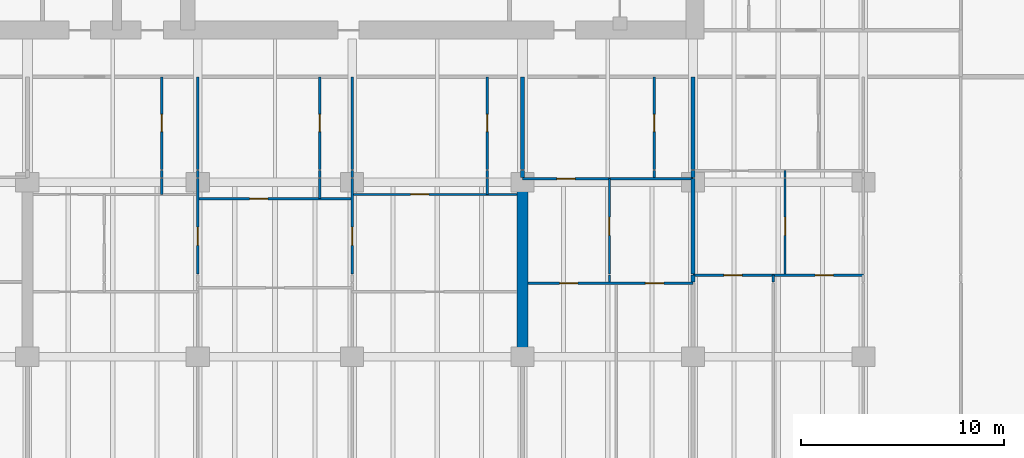
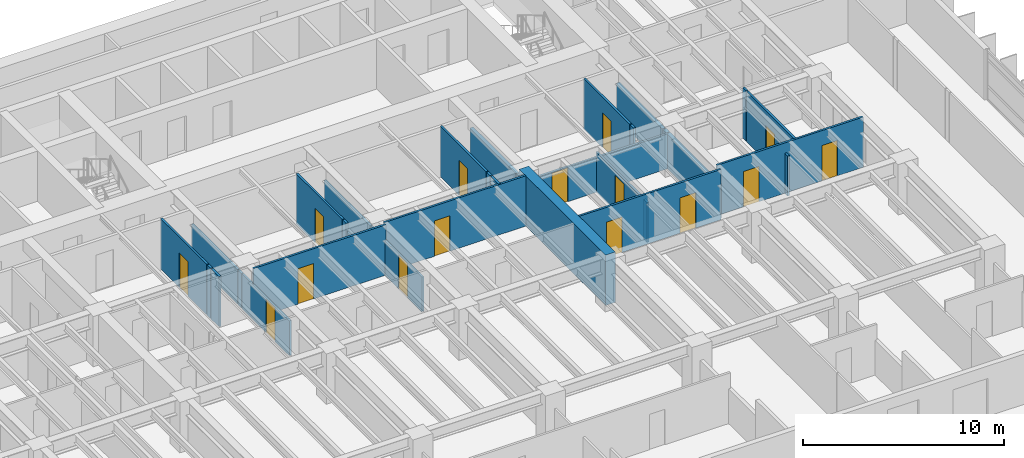
# One storey, part 9 of 17: 34 walls, 15 doors, 15 openings.
"""IFC4 building model written with IfcOpenShell, lengths in metres."""

from ifc_helpers import new_model, si_unit, direction, frame, frame_2d, origin, place, context, subcontext, project, spatial, rectangle, extrude, material, layer, layer_set, type_object, element, fill, save


model = new_model("IFC4")

# Units and contexts
model_context = context("Model", 3, precision=1e-05, world=origin(), true_north=direction((0.0, 1.0)))
body_context = subcontext(model_context, "Body", "Model", "MODEL_VIEW")
ifc_project = project(units=[si_unit("LENGTHUNIT", "METRE"), si_unit("AREAUNIT", "SQUARE_METRE"), si_unit("VOLUMEUNIT", "CUBIC_METRE"), si_unit("PLANEANGLEUNIT", "RADIAN"), si_unit("MASSUNIT", "GRAM", prefix="KILO")], contexts=[model_context])

# Site, building, storey
site_placement = place(None, origin())
site = spatial("IfcSite", under=ifc_project, at=site_placement, CompositionType="ELEMENT")
building_placement = place(site_placement, origin())
building = spatial("IfcBuilding", under=site, at=building_placement, Name="Caelmar Bay Residences", CompositionType="ELEMENT")
storey_placement = place(building_placement, frame((0.0, 0.0, 53.10009765625)))
storey = spatial("IfcBuildingStorey", under=building, at=storey_placement, Name="L13", CompositionType="ELEMENT", Elevation=53.10009765625)

# Walls
ifc_material_1 = material(Name="Concrete f'c 70 MPa (10,000 psi)", Category="concrete")
ifc_layer_1 = layer(ifc_material_1, 0.550048828125)
ifc_layer_set_1 = layer_set([ifc_layer_1], Name="Concrete f'c 70 MPa (10,000 psi)")
wall_type_1 = type_object("IfcWallType", Name="SW-XSLB-550", PredefinedType="SHEAR", material=ifc_layer_set_1)
wall_1_placement = place(storey_placement, frame((51.10009765625, 20.800048828125, 0.0), z_axis=(0.0, 0.0, 1.0), x_axis=(0.0, 1.0, 0.0)))
element("IfcWall", 1, at=wall_1_placement, inside=storey, type_object=wall_type_1, Name="L13 Transverse Cross-Slab Shear Wall E8", PredefinedType="SHEAR", context=body_context, shape_type="SweptSolid", body=[
    extrude(rectangle(XDim=8.599853515625, YDim=0.550048828125, at=frame_2d((4.2998046875, 0.0))), origin(), (0.0, 0.0, 1.0), 3.0498046875),
])
ifc_material_2 = material(Name="Acoustic metal-stud gypsum partition 120 mm")
ifc_layer_2 = layer(ifc_material_2, 0.1201171875)
ifc_layer_set_2 = layer_set([ifc_layer_2], Name="Acoustic metal-stud gypsum partition 120 mm")
wall_type_2 = type_object("IfcWallType", Name="W-PRT-120", PredefinedType="PARTITIONING", material=ifc_layer_set_2)
wall_2_placement = place(storey_placement, frame((33.323974609375, 28.800048828125, 0.0), z_axis=(0.0, 0.0, 1.0), x_axis=(0.0, 1.0, 0.0)))
element("IfcWall", 2, at=wall_2_placement, inside=storey, type_object=wall_type_2, Name="L13 Partition Wall V045", PredefinedType="PARTITIONING", context=body_context, shape_type="SweptSolid", body=[
    extrude(rectangle(XDim=0.780029296875, YDim=0.1201171875, at=frame_2d((0.39013671875, 0.0))), origin(), (0.0, 0.0, 1.0), 3.0498046875),
])
wall_3_placement = place(storey_placement, frame((33.323974609375, 29.639892578125, 0.0), z_axis=(0.0, 0.0, 1.0), x_axis=(0.0, 1.0, 0.0)))
element("IfcWall", 3, at=wall_3_placement, inside=storey, type_object=wall_type_2, Name="L13 Partition Wall V046", PredefinedType="PARTITIONING", context=body_context, shape_type="SweptSolid", body=[
    extrude(rectangle(XDim=0.340087890625, YDim=0.1201171875, at=frame_2d((0.169921875, 0.0))), origin(), (0.0, 0.0, 1.0), 3.0498046875),
])

# Wall, opening, door
wall_4_placement = place(storey_placement, frame((33.323974609375, 30.0400390625, 0.0), z_axis=(0.0, 0.0, 1.0), x_axis=(0.0, 1.0, 0.0)))
wall_4 = element("IfcWall", 4, at=wall_4_placement, inside=storey, type_object=wall_type_2, Name="L13 Partition Wall V047", PredefinedType="PARTITIONING", context=body_context, shape_type="SweptSolid", body=[
    extrude(rectangle(XDim=4.56005859375, YDim=0.1201171875, at=frame_2d((2.280029296875, 0.0))), origin(), (0.0, 0.0, 1.0), 3.0498046875),
])
opening_1_placement = place(wall_4_placement, frame((1.85498046875, 0.0, 0.0)))
opening_1 = element("IfcOpeningElement", 5, at=opening_1_placement, cuts=wall_4, Name="Opening D-L13-135", PredefinedType="OPENING", context=body_context, shape_type="SweptSolid", body=[
    extrude(rectangle(XDim=0.85009765625, YDim=2.10009765625, at=frame_2d((0.425048828125, 1.050048828125))), frame((0.0, 0.070068359375, 0.0), z_axis=(0.0, -1.0, 0.0), x_axis=(1.0, 0.0, 0.0)), (0.0, 0.0, 1.0), 0.14013671875),
])
ifc_material_3 = material(Name="Solid walnut timber interior door leaf and frame", Category="wood")
ifc_layer_3 = layer(ifc_material_3, 0.050048828125)
ifc_layer_set_3 = layer_set([ifc_layer_3], Name="Solid walnut timber interior door leaf and frame")
door_type_1 = type_object("IfcDoorType", Name="D-BATH-850", OperationType="NOTDEFINED", PredefinedType="DOOR", material=ifc_layer_set_3)
door_1_placement = place(opening_1_placement, origin())
door_1 = element("IfcDoor", 6, at=door_1_placement, inside=storey, type_object=door_type_1, Name="L13 Residence 03 Guest Bathroom Door", OperationType="SINGLE_SWING_RIGHT", OverallHeight=2.10009765625, OverallWidth=0.85009765625, PredefinedType="DOOR", context=body_context, shape_type="SweptSolid", body=[
    extrude(rectangle(XDim=0.85009765625, YDim=2.10009765625, at=frame_2d((0.425048828125, 1.050048828125))), frame((0.0, 0.02490234375, 0.0), z_axis=(0.0, -1.0, 0.0), x_axis=(1.0, 0.0, 0.0)), (0.0, 0.0, 1.0), 0.050048828125),
])
fill(opening_1, door_1)

wall_5_placement = place(storey_placement, frame((35.10009765625, 24.889892578125, 0.0), z_axis=(0.0, 0.0, 1.0), x_axis=(0.0, 1.0, 0.0)))
wall_5 = element("IfcWall", 7, at=wall_5_placement, inside=storey, type_object=wall_type_2, Name="L13 Partition Wall V051", PredefinedType="PARTITIONING", context=body_context, shape_type="SweptSolid", body=[
    extrude(rectangle(XDim=4.690185546875, YDim=0.1201171875, at=frame_2d((2.34521484375, 0.0))), origin(), (0.0, 0.0, 1.0), 2.10986328125),
])
opening_2_placement = place(wall_5_placement, frame((1.405029296875, 0.0, 0.0)))
opening_2 = element("IfcOpeningElement", 8, at=opening_2_placement, cuts=wall_5, Name="Opening D-L13-139", PredefinedType="OPENING", context=body_context, shape_type="SweptSolid", body=[
    extrude(rectangle(XDim=0.89990234375, YDim=2.06005859375, at=frame_2d((0.449951171875, 1.030029296875))), frame((0.0, 0.070068359375, 0.0), z_axis=(0.0, -1.0, 0.0), x_axis=(1.0, 0.0, 0.0)), (0.0, 0.0, 1.0), 0.14013671875),
])
ifc_layer_4 = layer(ifc_material_3, 0.050048828125)
ifc_layer_set_4 = layer_set([ifc_layer_4], Name="Solid walnut timber interior door leaf and frame")
door_type_2 = type_object("IfcDoorType", Name="D-ROOM-900", OperationType="NOTDEFINED", PredefinedType="DOOR", material=ifc_layer_set_4)
door_2_placement = place(opening_2_placement, origin())
door_2 = element("IfcDoor", 9, at=door_2_placement, inside=storey, type_object=door_type_2, Name="L13 Residence 03 Formal Dining Room 1 Door", OperationType="SINGLE_SWING_RIGHT", OverallHeight=2.06005859375, OverallWidth=0.89990234375, PredefinedType="DOOR", context=body_context, shape_type="SweptSolid", body=[
    extrude(rectangle(XDim=0.89990234375, YDim=2.06005859375, at=frame_2d((0.449951171875, 1.030029296875))), frame((0.0, 0.02490234375, 0.0), z_axis=(0.0, -1.0, 0.0), x_axis=(1.0, 0.0, 0.0)), (0.0, 0.0, 1.0), 0.050048828125),
])
fill(opening_2, door_2)

# Walls
wall_6_placement = place(storey_placement, frame((35.10009765625, 29.639892578125, 0.0), z_axis=(0.0, 0.0, 1.0), x_axis=(0.0, 1.0, 0.0)))
element("IfcWall", 10, at=wall_6_placement, inside=storey, type_object=wall_type_2, Name="L13 Partition Wall V052", PredefinedType="PARTITIONING", context=body_context, shape_type="SweptSolid", body=[
    extrude(rectangle(XDim=0.340087890625, YDim=0.1201171875, at=frame_2d((0.169921875, 0.0))), origin(), (0.0, 0.0, 1.0), 2.10986328125),
])
wall_7_placement = place(storey_placement, frame((35.10009765625, 30.0400390625, 0.0), z_axis=(0.0, 0.0, 1.0), x_axis=(0.0, 1.0, 0.0)))
element("IfcWall", 11, at=wall_7_placement, inside=storey, type_object=wall_type_2, Name="L13 Partition Wall V053", PredefinedType="PARTITIONING", context=body_context, shape_type="SweptSolid", body=[
    extrude(rectangle(XDim=4.56005859375, YDim=0.1201171875, at=frame_2d((2.280029296875, 0.0))), origin(), (0.0, 0.0, 1.0), 2.10986328125),
])
wall_8_placement = place(storey_placement, frame((41.10009765625, 28.60009765625, 0.0), z_axis=(0.0, 0.0, 1.0), x_axis=(0.0, 1.0, 0.0)))
element("IfcWall", 12, at=wall_8_placement, inside=storey, type_object=wall_type_2, Name="L13 Partition Wall V057", PredefinedType="PARTITIONING", context=body_context, shape_type="SweptSolid", body=[
    extrude(rectangle(XDim=0.97998046875, YDim=0.1201171875, at=frame_2d((0.489990234375, 0.0))), origin(), (0.0, 0.0, 1.0), 2.577880859375),
])
wall_9_placement = place(storey_placement, frame((41.10009765625, 29.639892578125, 0.0), z_axis=(0.0, 0.0, 1.0), x_axis=(0.0, 1.0, 0.0)))
element("IfcWall", 13, at=wall_9_placement, inside=storey, type_object=wall_type_2, Name="L13 Partition Wall V058", PredefinedType="PARTITIONING", context=body_context, shape_type="SweptSolid", body=[
    extrude(rectangle(XDim=0.340087890625, YDim=0.1201171875, at=frame_2d((0.169921875, 0.0))), origin(), (0.0, 0.0, 1.0), 3.0498046875),
])

# Wall, opening, door
wall_10_placement = place(storey_placement, frame((41.10009765625, 30.0400390625, 0.0), z_axis=(0.0, 0.0, 1.0), x_axis=(0.0, 1.0, 0.0)))
wall_10 = element("IfcWall", 14, at=wall_10_placement, inside=storey, type_object=wall_type_2, Name="L13 Partition Wall V059", PredefinedType="PARTITIONING", context=body_context, shape_type="SweptSolid", body=[
    extrude(rectangle(XDim=4.56005859375, YDim=0.1201171875, at=frame_2d((2.280029296875, 0.0))), origin(), (0.0, 0.0, 1.0), 3.0498046875),
])
opening_3_placement = place(wall_10_placement, frame((1.85498046875, 0.0, 0.0)))
opening_3 = element("IfcOpeningElement", 15, at=opening_3_placement, cuts=wall_10, Name="Opening D-L13-141", PredefinedType="OPENING", context=body_context, shape_type="SweptSolid", body=[
    extrude(rectangle(XDim=0.85009765625, YDim=2.10009765625, at=frame_2d((0.425048828125, 1.050048828125))), frame((0.0, 0.070068359375, 0.0), z_axis=(0.0, -1.0, 0.0), x_axis=(1.0, 0.0, 0.0)), (0.0, 0.0, 1.0), 0.14013671875),
])
door_3_placement = place(opening_3_placement, origin())
door_3 = element("IfcDoor", 16, at=door_3_placement, inside=storey, type_object=door_type_1, Name="L13 Residence 03 En-Suite Bathroom 1 Door", OperationType="SINGLE_SWING_RIGHT", OverallHeight=2.10009765625, OverallWidth=0.85009765625, PredefinedType="DOOR", context=body_context, shape_type="SweptSolid", body=[
    extrude(rectangle(XDim=0.85009765625, YDim=2.10009765625, at=frame_2d((0.425048828125, 1.050048828125))), frame((0.0, 0.02490234375, 0.0), z_axis=(0.0, -1.0, 0.0), x_axis=(1.0, 0.0, 0.0)), (0.0, 0.0, 1.0), 0.050048828125),
])
fill(opening_3, door_3)

wall_11_placement = place(storey_placement, frame((42.699951171875, 24.889892578125, 0.0), z_axis=(0.0, 0.0, 1.0), x_axis=(0.0, 1.0, 0.0)))
wall_11 = element("IfcWall", 17, at=wall_11_placement, inside=storey, type_object=wall_type_2, Name="L13 Partition Wall V063", PredefinedType="PARTITIONING", context=body_context, shape_type="SweptSolid", body=[
    extrude(rectangle(XDim=4.690185546875, YDim=0.1201171875, at=frame_2d((2.34521484375, 0.0))), origin(), (0.0, 0.0, 1.0), 2.10986328125),
])
opening_4_placement = place(wall_11_placement, frame((1.405029296875, 0.0, 0.0)))
opening_4 = element("IfcOpeningElement", 18, at=opening_4_placement, cuts=wall_11, Name="Opening D-L13-144", PredefinedType="OPENING", context=body_context, shape_type="SweptSolid", body=[
    extrude(rectangle(XDim=0.89990234375, YDim=2.06005859375, at=frame_2d((0.449951171875, 1.030029296875))), frame((0.0, 0.070068359375, 0.0), z_axis=(0.0, -1.0, 0.0), x_axis=(1.0, 0.0, 0.0)), (0.0, 0.0, 1.0), 0.14013671875),
])
door_4_placement = place(opening_4_placement, origin())
door_4 = element("IfcDoor", 19, at=door_4_placement, inside=storey, type_object=door_type_2, Name="L13 Residence 03 Formal Dining Room 2 Door", OperationType="SINGLE_SWING_LEFT", OverallHeight=2.06005859375, OverallWidth=0.89990234375, PredefinedType="DOOR", context=body_context, shape_type="SweptSolid", body=[
    extrude(rectangle(XDim=0.89990234375, YDim=2.06005859375, at=frame_2d((0.449951171875, 1.030029296875))), frame((0.0, 0.02490234375, 0.0), z_axis=(0.0, -1.0, 0.0), x_axis=(1.0, 0.0, 0.0)), (0.0, 0.0, 1.0), 0.050048828125),
])
fill(opening_4, door_4)

# Walls
wall_12_placement = place(storey_placement, frame((42.699951171875, 29.639892578125, 0.0), z_axis=(0.0, 0.0, 1.0), x_axis=(0.0, 1.0, 0.0)))
element("IfcWall", 20, at=wall_12_placement, inside=storey, type_object=wall_type_2, Name="L13 Partition Wall V064", PredefinedType="PARTITIONING", context=body_context, shape_type="SweptSolid", body=[
    extrude(rectangle(XDim=0.340087890625, YDim=0.1201171875, at=frame_2d((0.169921875, 0.0))), origin(), (0.0, 0.0, 1.0), 2.10986328125),
])
wall_13_placement = place(storey_placement, frame((42.699951171875, 30.0400390625, 0.0), z_axis=(0.0, 0.0, 1.0), x_axis=(0.0, 1.0, 0.0)))
element("IfcWall", 21, at=wall_13_placement, inside=storey, type_object=wall_type_2, Name="L13 Partition Wall V065", PredefinedType="PARTITIONING", context=body_context, shape_type="SweptSolid", body=[
    extrude(rectangle(XDim=4.56005859375, YDim=0.1201171875, at=frame_2d((2.280029296875, 0.0))), origin(), (0.0, 0.0, 1.0), 2.10986328125),
])
wall_14_placement = place(storey_placement, frame((49.35888671875, 28.800048828125, 0.0), z_axis=(0.0, 0.0, 1.0), x_axis=(0.0, 1.0, 0.0)))
element("IfcWall", 22, at=wall_14_placement, inside=storey, type_object=wall_type_2, Name="L13 Partition Wall V069", PredefinedType="PARTITIONING", context=body_context, shape_type="SweptSolid", body=[
    extrude(rectangle(XDim=0.780029296875, YDim=0.1201171875, at=frame_2d((0.39013671875, 0.0))), origin(), (0.0, 0.0, 1.0), 3.0498046875),
])
wall_15_placement = place(storey_placement, frame((49.35888671875, 29.639892578125, 0.0), z_axis=(0.0, 0.0, 1.0), x_axis=(0.0, 1.0, 0.0)))
element("IfcWall", 23, at=wall_15_placement, inside=storey, type_object=wall_type_2, Name="L13 Partition Wall V070", PredefinedType="PARTITIONING", context=body_context, shape_type="SweptSolid", body=[
    extrude(rectangle(XDim=0.340087890625, YDim=0.1201171875, at=frame_2d((0.169921875, 0.0))), origin(), (0.0, 0.0, 1.0), 3.0498046875),
])

# Wall, opening, door
wall_16_placement = place(storey_placement, frame((49.35888671875, 30.0400390625, 0.0), z_axis=(0.0, 0.0, 1.0), x_axis=(0.0, 1.0, 0.0)))
wall_16 = element("IfcWall", 24, at=wall_16_placement, inside=storey, type_object=wall_type_2, Name="L13 Partition Wall V071", PredefinedType="PARTITIONING", context=body_context, shape_type="SweptSolid", body=[
    extrude(rectangle(XDim=4.56005859375, YDim=0.1201171875, at=frame_2d((2.280029296875, 0.0))), origin(), (0.0, 0.0, 1.0), 3.0498046875),
])
opening_5_placement = place(wall_16_placement, frame((1.85498046875, 0.0, 0.0)))
opening_5 = element("IfcOpeningElement", 25, at=opening_5_placement, cuts=wall_16, Name="Opening D-L13-146", PredefinedType="OPENING", context=body_context, shape_type="SweptSolid", body=[
    extrude(rectangle(XDim=0.85009765625, YDim=2.10009765625, at=frame_2d((0.425048828125, 1.050048828125))), frame((0.0, 0.070068359375, 0.0), z_axis=(0.0, -1.0, 0.0), x_axis=(1.0, 0.0, 0.0)), (0.0, 0.0, 1.0), 0.14013671875),
])
door_5_placement = place(opening_5_placement, origin())
door_5 = element("IfcDoor", 26, at=door_5_placement, inside=storey, type_object=door_type_1, Name="L13 Residence 03 En-Suite Bathroom 2 Door", OperationType="SINGLE_SWING_LEFT", OverallHeight=2.10009765625, OverallWidth=0.85009765625, PredefinedType="DOOR", context=body_context, shape_type="SweptSolid", body=[
    extrude(rectangle(XDim=0.85009765625, YDim=2.10009765625, at=frame_2d((0.425048828125, 1.050048828125))), frame((0.0, 0.02490234375, 0.0), z_axis=(0.0, -1.0, 0.0), x_axis=(1.0, 0.0, 0.0)), (0.0, 0.0, 1.0), 0.050048828125),
])
fill(opening_5, door_5)

# Wall
wall_17_placement = place(storey_placement, frame((55.385986328125, 24.489990234375, 0.0), z_axis=(0.0, 0.0, 1.0), x_axis=(0.0, 1.0, 0.0)))
element("IfcWall", 27, at=wall_17_placement, inside=storey, type_object=wall_type_2, Name="L13 Partition Wall V079", PredefinedType="PARTITIONING", context=body_context, shape_type="SweptSolid", body=[
    extrude(rectangle(XDim=0.340087890625, YDim=0.1201171875, at=frame_2d((0.169921875, 0.0))), origin(), (0.0, 0.0, 1.0), 2.4228515625),
])

# Wall, opening, door
wall_18_placement = place(storey_placement, frame((55.385986328125, 24.889892578125, 0.0), z_axis=(0.0, 0.0, 1.0), x_axis=(0.0, 1.0, 0.0)))
wall_18 = element("IfcWall", 28, at=wall_18_placement, inside=storey, type_object=wall_type_2, Name="L13 Partition Wall V080", PredefinedType="PARTITIONING", context=body_context, shape_type="SweptSolid", body=[
    extrude(rectangle(XDim=4.690185546875, YDim=0.1201171875, at=frame_2d((2.34521484375, 0.0))), origin(), (0.0, 0.0, 1.0), 2.4228515625),
])
opening_6_placement = place(wall_18_placement, frame((1.89501953125, 0.0, 0.0)))
opening_6 = element("IfcOpeningElement", 29, at=opening_6_placement, cuts=wall_18, Name="Opening D-L13-152", PredefinedType="OPENING", context=body_context, shape_type="SweptSolid", body=[
    extrude(rectangle(XDim=0.89990234375, YDim=2.14990234375, at=frame_2d((0.449951171875, 1.074951171875))), frame((0.0, 0.070068359375, 0.0), z_axis=(0.0, -1.0, 0.0), x_axis=(1.0, 0.0, 0.0)), (0.0, 0.0, 1.0), 0.14013671875),
])
door_6_placement = place(opening_6_placement, origin())
door_6 = element("IfcDoor", 30, at=door_6_placement, inside=storey, type_object=door_type_2, Name="L13 Residence 04 Formal Dining Room Door", OperationType="SINGLE_SWING_LEFT", OverallHeight=2.14990234375, OverallWidth=0.89990234375, PredefinedType="DOOR", context=body_context, shape_type="SweptSolid", body=[
    extrude(rectangle(XDim=0.89990234375, YDim=2.14990234375, at=frame_2d((0.449951171875, 1.074951171875))), frame((0.0, 0.02490234375, 0.0), z_axis=(0.0, -1.0, 0.0), x_axis=(1.0, 0.0, 0.0)), (0.0, 0.0, 1.0), 0.050048828125),
])
fill(opening_6, door_6)

# Wall
wall_19_placement = place(storey_placement, frame((57.587890625, 29.639892578125, 0.0), z_axis=(0.0, 0.0, 1.0), x_axis=(0.0, 1.0, 0.0)))
element("IfcWall", 31, at=wall_19_placement, inside=storey, type_object=wall_type_2, Name="L13 Partition Wall V084", PredefinedType="PARTITIONING", context=body_context, shape_type="SweptSolid", body=[
    extrude(rectangle(XDim=0.340087890625, YDim=0.1201171875, at=frame_2d((0.169921875, 0.0))), origin(), (0.0, 0.0, 1.0), 3.0498046875),
])

# Wall, opening, door
wall_20_placement = place(storey_placement, frame((57.587890625, 30.0400390625, 0.0), z_axis=(0.0, 0.0, 1.0), x_axis=(0.0, 1.0, 0.0)))
wall_20 = element("IfcWall", 32, at=wall_20_placement, inside=storey, type_object=wall_type_2, Name="L13 Partition Wall V085", PredefinedType="PARTITIONING", context=body_context, shape_type="SweptSolid", body=[
    extrude(rectangle(XDim=4.56005859375, YDim=0.1201171875, at=frame_2d((2.280029296875, 0.0))), origin(), (0.0, 0.0, 1.0), 3.0498046875),
])
opening_7_placement = place(wall_20_placement, frame((1.85498046875, 0.0, 0.0)))
opening_7 = element("IfcOpeningElement", 33, at=opening_7_placement, cuts=wall_20, Name="Opening D-L13-150", PredefinedType="OPENING", context=body_context, shape_type="SweptSolid", body=[
    extrude(rectangle(XDim=0.85009765625, YDim=2.10009765625, at=frame_2d((0.425048828125, 1.050048828125))), frame((0.0, 0.070068359375, 0.0), z_axis=(0.0, -1.0, 0.0), x_axis=(1.0, 0.0, 0.0)), (0.0, 0.0, 1.0), 0.14013671875),
])
door_7_placement = place(opening_7_placement, origin())
door_7 = element("IfcDoor", 34, at=door_7_placement, inside=storey, type_object=door_type_1, Name="L13 Residence 04 Bathroom Door", OperationType="SINGLE_SWING_LEFT", OverallHeight=2.10009765625, OverallWidth=0.85009765625, PredefinedType="DOOR", context=body_context, shape_type="SweptSolid", body=[
    extrude(rectangle(XDim=0.85009765625, YDim=2.10009765625, at=frame_2d((0.425048828125, 1.050048828125))), frame((0.0, 0.02490234375, 0.0), z_axis=(0.0, -1.0, 0.0), x_axis=(1.0, 0.0, 0.0)), (0.0, 0.0, 1.0), 0.050048828125),
])
fill(opening_7, door_7)

# Wall
wall_21_placement = place(storey_placement, frame((63.447998046875, 24.489990234375, 0.0), z_axis=(0.0, 0.0, 1.0), x_axis=(0.0, 1.0, 0.0)))
element("IfcWall", 35, at=wall_21_placement, inside=storey, type_object=wall_type_2, Name="L13 Partition Wall V095", PredefinedType="PARTITIONING", context=body_context, shape_type="SweptSolid", body=[
    extrude(rectangle(XDim=0.340087890625, YDim=0.1201171875, at=frame_2d((0.169921875, 0.0))), origin(), (0.0, 0.0, 1.0), 2.4228515625),
])

# Wall, opening, door
wall_22_placement = place(storey_placement, frame((64.035888671875, 24.889892578125, 0.0), z_axis=(0.0, 0.0, 1.0), x_axis=(0.0, 1.0, 0.0)))
wall_22 = element("IfcWall", 36, at=wall_22_placement, inside=storey, type_object=wall_type_2, Name="L13 Partition Wall V096", PredefinedType="PARTITIONING", context=body_context, shape_type="SweptSolid", body=[
    extrude(rectangle(XDim=4.690185546875, YDim=0.1201171875, at=frame_2d((2.34521484375, 0.0))), origin(), (0.0, 0.0, 1.0), 3.0498046875),
])
opening_8_placement = place(wall_22_placement, frame((1.89501953125, 0.0, 0.0)))
opening_8 = element("IfcOpeningElement", 37, at=opening_8_placement, cuts=wall_22, Name="Opening D-L13-159", PredefinedType="OPENING", context=body_context, shape_type="SweptSolid", body=[
    extrude(rectangle(XDim=0.89990234375, YDim=2.14990234375, at=frame_2d((0.449951171875, 1.074951171875))), frame((0.0, 0.070068359375, 0.0), z_axis=(0.0, -1.0, 0.0), x_axis=(1.0, 0.0, 0.0)), (0.0, 0.0, 1.0), 0.14013671875),
])
door_8_placement = place(opening_8_placement, origin())
door_8 = element("IfcDoor", 38, at=door_8_placement, inside=storey, type_object=door_type_2, Name="L13 Residence 05 Formal Dining Room Door", OperationType="SINGLE_SWING_RIGHT", OverallHeight=2.14990234375, OverallWidth=0.89990234375, PredefinedType="DOOR", context=body_context, shape_type="SweptSolid", body=[
    extrude(rectangle(XDim=0.89990234375, YDim=2.14990234375, at=frame_2d((0.449951171875, 1.074951171875))), frame((0.0, 0.02490234375, 0.0), z_axis=(0.0, -1.0, 0.0), x_axis=(1.0, 0.0, 0.0)), (0.0, 0.0, 1.0), 0.050048828125),
])
fill(opening_8, door_8)

# Wall
wall_23_placement = place(storey_placement, frame((64.035888671875, 29.639892578125, 0.0), z_axis=(0.0, 0.0, 1.0), x_axis=(0.0, 1.0, 0.0)))
element("IfcWall", 39, at=wall_23_placement, inside=storey, type_object=wall_type_2, Name="L13 Partition Wall V097", PredefinedType="PARTITIONING", context=body_context, shape_type="SweptSolid", body=[
    extrude(rectangle(XDim=0.340087890625, YDim=0.1201171875, at=frame_2d((0.169921875, 0.0))), origin(), (0.0, 0.0, 1.0), 3.0498046875),
])

# Wall, openings, doors
wall_24_placement = place(storey_placement, frame((51.3701171875, 24.429931640625, 0.0), z_axis=(0.0, 0.0, 1.0), x_axis=(1.0, 0.0, 0.0)))
wall_24 = element("IfcWall", 40, at=wall_24_placement, inside=storey, type_object=wall_type_2, Name="L13 Partition Wall H121", PredefinedType="PARTITIONING", context=body_context, shape_type="SweptSolid", body=[
    extrude(rectangle(XDim=8.1298828125, YDim=0.1201171875, at=frame_2d((4.06494140625, 0.0))), origin(), (0.0, 0.0, 1.0), 3.0498046875),
])
opening_9_placement = place(wall_24_placement, frame((1.55810546875, 0.0, 0.0)))
opening_9 = element("IfcOpeningElement", 41, at=opening_9_placement, cuts=wall_24, Name="Opening D-L13-153", PredefinedType="OPENING", context=body_context, shape_type="SweptSolid", body=[
    extrude(rectangle(XDim=0.89990234375, YDim=2.14990234375, at=frame_2d((0.449951171875, 1.074951171875))), frame((0.0, 0.070068359375, 0.0), z_axis=(0.0, -1.0, 0.0), x_axis=(1.0, 0.0, 0.0)), (0.0, 0.0, 1.0), 0.14013671875),
])
opening_10_placement = place(wall_24_placement, frame((5.7900390625, 0.0, 0.0)))
opening_10 = element("IfcOpeningElement", 42, at=opening_10_placement, cuts=wall_24, Name="Opening D-L13-154", PredefinedType="OPENING", context=body_context, shape_type="SweptSolid", body=[
    extrude(rectangle(XDim=0.89990234375, YDim=2.14990234375, at=frame_2d((0.449951171875, 1.074951171875))), frame((0.0, 0.070068359375, 0.0), z_axis=(0.0, -1.0, 0.0), x_axis=(1.0, 0.0, 0.0)), (0.0, 0.0, 1.0), 0.14013671875),
])
door_9_placement = place(opening_9_placement, origin())
door_9 = element("IfcDoor", 43, at=door_9_placement, inside=storey, type_object=door_type_2, Name="L13 Residence 04 Penthouse Living Salon Door", OperationType="SINGLE_SWING_RIGHT", OverallHeight=2.14990234375, OverallWidth=0.89990234375, PredefinedType="DOOR", context=body_context, shape_type="SweptSolid", body=[
    extrude(rectangle(XDim=0.89990234375, YDim=2.14990234375, at=frame_2d((0.449951171875, 1.074951171875))), frame((0.0, 0.02490234375, 0.0), z_axis=(0.0, -1.0, 0.0), x_axis=(1.0, 0.0, 0.0)), (0.0, 0.0, 1.0), 0.050048828125),
])
fill(opening_9, door_9)
door_10_placement = place(opening_10_placement, origin())
door_10 = element("IfcDoor", 44, at=door_10_placement, inside=storey, type_object=door_type_2, Name="L13 Residence 04 Penthouse Sitting Room Door", OperationType="SINGLE_SWING_LEFT", OverallHeight=2.14990234375, OverallWidth=0.89990234375, PredefinedType="DOOR", context=body_context, shape_type="SweptSolid", body=[
    extrude(rectangle(XDim=0.89990234375, YDim=2.14990234375, at=frame_2d((0.449951171875, 1.074951171875))), frame((0.0, 0.02490234375, 0.0), z_axis=(0.0, -1.0, 0.0), x_axis=(1.0, 0.0, 0.0)), (0.0, 0.0, 1.0), 0.050048828125),
])
fill(opening_10, door_10)

wall_25_placement = place(storey_placement, frame((59.5, 24.830078125, 0.0), z_axis=(0.0, 0.0, 1.0), x_axis=(1.0, 0.0, 0.0)))
wall_25 = element("IfcWall", 45, at=wall_25_placement, inside=storey, type_object=wall_type_2, Name="L13 Partition Wall H123", PredefinedType="PARTITIONING", context=body_context, shape_type="SweptSolid", body=[
    extrude(rectangle(XDim=8.39990234375, YDim=0.1201171875, at=frame_2d((4.199951171875, 0.0))), origin(), (0.0, 0.0, 1.0), 3.0498046875),
])
opening_11_placement = place(wall_25_placement, frame((1.52392578125, 0.0, 0.0)))
opening_11 = element("IfcOpeningElement", 46, at=opening_11_placement, cuts=wall_25, Name="Opening D-L13-160", PredefinedType="OPENING", context=body_context, shape_type="SweptSolid", body=[
    extrude(rectangle(XDim=0.89990234375, YDim=2.14990234375, at=frame_2d((0.449951171875, 1.074951171875))), frame((0.0, 0.070068359375, 0.0), z_axis=(0.0, -1.0, 0.0), x_axis=(1.0, 0.0, 0.0)), (0.0, 0.0, 1.0), 0.14013671875),
])
opening_12_placement = place(wall_25_placement, frame((6.01806640625, 0.0, 0.0)))
opening_12 = element("IfcOpeningElement", 47, at=opening_12_placement, cuts=wall_25, Name="Opening D-L13-161", PredefinedType="OPENING", context=body_context, shape_type="SweptSolid", body=[
    extrude(rectangle(XDim=0.89990234375, YDim=2.14990234375, at=frame_2d((0.449951171875, 1.074951171875))), frame((0.0, 0.070068359375, 0.0), z_axis=(0.0, -1.0, 0.0), x_axis=(1.0, 0.0, 0.0)), (0.0, 0.0, 1.0), 0.14013671875),
])
door_11_placement = place(opening_11_placement, origin())
door_11 = element("IfcDoor", 48, at=door_11_placement, inside=storey, type_object=door_type_2, Name="L13 Residence 05 Penthouse Living Salon Door", OperationType="SINGLE_SWING_LEFT", OverallHeight=2.14990234375, OverallWidth=0.89990234375, PredefinedType="DOOR", context=body_context, shape_type="SweptSolid", body=[
    extrude(rectangle(XDim=0.89990234375, YDim=2.14990234375, at=frame_2d((0.449951171875, 1.074951171875))), frame((0.0, 0.02490234375, 0.0), z_axis=(0.0, -1.0, 0.0), x_axis=(1.0, 0.0, 0.0)), (0.0, 0.0, 1.0), 0.050048828125),
])
fill(opening_11, door_11)
door_12_placement = place(opening_12_placement, origin())
door_12 = element("IfcDoor", 49, at=door_12_placement, inside=storey, type_object=door_type_2, Name="L13 Residence 05 Penthouse Sitting Room Door", OperationType="SINGLE_SWING_RIGHT", OverallHeight=2.14990234375, OverallWidth=0.89990234375, PredefinedType="DOOR", context=body_context, shape_type="SweptSolid", body=[
    extrude(rectangle(XDim=0.89990234375, YDim=2.14990234375, at=frame_2d((0.449951171875, 1.074951171875))), frame((0.0, 0.02490234375, 0.0), z_axis=(0.0, -1.0, 0.0), x_axis=(1.0, 0.0, 0.0)), (0.0, 0.0, 1.0), 0.050048828125),
])
fill(opening_12, door_12)

# Wall, opening, door
wall_26_placement = place(storey_placement, frame((35.10009765625, 28.60009765625, 0.0), z_axis=(0.0, 0.0, 1.0), x_axis=(1.0, 0.0, 0.0)))
wall_26 = element("IfcWall", 50, at=wall_26_placement, inside=storey, type_object=wall_type_2, Name="L13 Partition Wall H125", PredefinedType="PARTITIONING", context=body_context, shape_type="SweptSolid", body=[
    extrude(rectangle(XDim=7.599853515625, YDim=0.1201171875, at=frame_2d((3.7998046875, 0.0))), origin(), (0.0, 0.0, 1.0), 3.0498046875),
])
opening_13_placement = place(wall_26_placement, frame((2.550048828125, 0.0, 0.0)))
opening_13 = element("IfcOpeningElement", 51, at=opening_13_placement, cuts=wall_26, Name="Opening D-L13-140", PredefinedType="OPENING", context=body_context, shape_type="SweptSolid", body=[
    extrude(rectangle(XDim=0.89990234375, YDim=2.14990234375, at=frame_2d((0.449951171875, 1.074951171875))), frame((0.0, 0.070068359375, 0.0), z_axis=(0.0, -1.0, 0.0), x_axis=(1.0, 0.0, 0.0)), (0.0, 0.0, 1.0), 0.14013671875),
])
door_13_placement = place(opening_13_placement, origin())
door_13 = element("IfcDoor", 52, at=door_13_placement, inside=storey, type_object=door_type_2, Name="L13 Residence 03 Breakfast Dining Room 1 Door", OperationType="SINGLE_SWING_LEFT", OverallHeight=2.14990234375, OverallWidth=0.89990234375, PredefinedType="DOOR", context=body_context, shape_type="SweptSolid", body=[
    extrude(rectangle(XDim=0.89990234375, YDim=2.14990234375, at=frame_2d((0.449951171875, 1.074951171875))), frame((0.0, 0.02490234375, 0.0), z_axis=(0.0, -1.0, 0.0), x_axis=(1.0, 0.0, 0.0)), (0.0, 0.0, 1.0), 0.050048828125),
])
fill(opening_13, door_13)

wall_27_placement = place(storey_placement, frame((42.705078125, 28.800048828125, 0.0), z_axis=(0.0, 0.0, 1.0), x_axis=(1.0, 0.0, 0.0)))
wall_27 = element("IfcWall", 53, at=wall_27_placement, inside=storey, type_object=wall_type_2, Name="L13 Partition Wall H127", PredefinedType="PARTITIONING", context=body_context, shape_type="SweptSolid", body=[
    extrude(rectangle(XDim=8.125, YDim=0.1201171875, at=frame_2d((4.0625, 0.0))), origin(), (0.0, 0.0, 1.0), 3.0498046875),
])
opening_14_placement = place(wall_27_placement, frame((2.876953125, 0.0, 0.0)))
opening_14 = element("IfcOpeningElement", 54, at=opening_14_placement, cuts=wall_27, Name="Opening D-L13-145", PredefinedType="OPENING", context=body_context, shape_type="SweptSolid", body=[
    extrude(rectangle(XDim=0.89990234375, YDim=2.14990234375, at=frame_2d((0.449951171875, 1.074951171875))), frame((0.0, 0.070068359375, 0.0), z_axis=(0.0, -1.0, 0.0), x_axis=(1.0, 0.0, 0.0)), (0.0, 0.0, 1.0), 0.14013671875),
])
door_14_placement = place(opening_14_placement, origin())
door_14 = element("IfcDoor", 55, at=door_14_placement, inside=storey, type_object=door_type_2, Name="L13 Residence 03 Breakfast Dining Room 2 Door", OperationType="SINGLE_SWING_RIGHT", OverallHeight=2.14990234375, OverallWidth=0.89990234375, PredefinedType="DOOR", context=body_context, shape_type="SweptSolid", body=[
    extrude(rectangle(XDim=0.89990234375, YDim=2.14990234375, at=frame_2d((0.449951171875, 1.074951171875))), frame((0.0, 0.02490234375, 0.0), z_axis=(0.0, -1.0, 0.0), x_axis=(1.0, 0.0, 0.0)), (0.0, 0.0, 1.0), 0.050048828125),
])
fill(opening_14, door_14)

wall_28_placement = place(storey_placement, frame((51.10009765625, 29.580078125, 0.0), z_axis=(0.0, 0.0, 1.0), x_axis=(1.0, 0.0, 0.0)))
wall_28 = element("IfcWall", 56, at=wall_28_placement, inside=storey, type_object=wall_type_2, Name="L13 Partition Wall H128", PredefinedType="PARTITIONING", context=body_context, shape_type="SweptSolid", body=[
    extrude(rectangle(XDim=8.39990234375, YDim=0.1201171875, at=frame_2d((4.199951171875, 0.0))), origin(), (0.0, 0.0, 1.0), 2.10986328125),
])
opening_15_placement = place(wall_28_placement, frame((1.693115234375, 0.0, 0.0)))
opening_15 = element("IfcOpeningElement", 57, at=opening_15_placement, cuts=wall_28, Name="Opening D-L13-151", PredefinedType="OPENING", context=body_context, shape_type="SweptSolid", body=[
    extrude(rectangle(XDim=0.89990234375, YDim=2.06005859375, at=frame_2d((0.449951171875, 1.030029296875))), frame((0.0, 0.070068359375, 0.0), z_axis=(0.0, -1.0, 0.0), x_axis=(1.0, 0.0, 0.0)), (0.0, 0.0, 1.0), 0.14013671875),
])
door_15_placement = place(opening_15_placement, origin())
door_15 = element("IfcDoor", 58, at=door_15_placement, inside=storey, type_object=door_type_2, Name="L13 Residence 04 Kitchen Door", OperationType="SINGLE_SWING_RIGHT", OverallHeight=2.06005859375, OverallWidth=0.89990234375, PredefinedType="DOOR", context=body_context, shape_type="SweptSolid", body=[
    extrude(rectangle(XDim=0.89990234375, YDim=2.06005859375, at=frame_2d((0.449951171875, 1.030029296875))), frame((0.0, 0.02490234375, 0.0), z_axis=(0.0, -1.0, 0.0), x_axis=(1.0, 0.0, 0.0)), (0.0, 0.0, 1.0), 0.050048828125),
])
fill(opening_15, door_15)

# Walls
ifc_material_4 = material(Name="Acoustic twin-stud fire-rated inter-tenancy partition 200 mm")
ifc_layer_5 = layer(ifc_material_4, 0.199951171875)
ifc_layer_set_5 = layer_set([ifc_layer_5], Name="Acoustic twin-stud fire-rated inter-tenancy partition 200 mm")
wall_type_3 = type_object("IfcWallType", Name="W-PTY-200", PredefinedType="PARTITIONING", material=ifc_layer_set_5)
wall_29_placement = place(storey_placement, frame((51.10009765625, 29.639892578125, 0.0), z_axis=(0.0, 0.0, 1.0), x_axis=(0.0, 1.0, 0.0)))
element("IfcWall", 59, at=wall_29_placement, inside=storey, type_object=wall_type_3, Name="L13 Partition Wall V076", PredefinedType="PARTITIONING", context=body_context, shape_type="SweptSolid", body=[
    extrude(rectangle(XDim=0.340087890625, YDim=0.199951171875, at=frame_2d((0.169921875, 0.0))), origin(), (0.0, 0.0, 1.0), 2.3349609375),
])
wall_30_placement = place(storey_placement, frame((51.10009765625, 30.0400390625, 0.0), z_axis=(0.0, 0.0, 1.0), x_axis=(0.0, 1.0, 0.0)))
element("IfcWall", 60, at=wall_30_placement, inside=storey, type_object=wall_type_3, Name="L13 Partition Wall V077", PredefinedType="PARTITIONING", context=body_context, shape_type="SweptSolid", body=[
    extrude(rectangle(XDim=4.56005859375, YDim=0.199951171875, at=frame_2d((2.280029296875, 0.0))), origin(), (0.0, 0.0, 1.0), 2.3349609375),
])
wall_31_placement = place(storey_placement, frame((59.5, 24.489990234375, 0.0), z_axis=(0.0, 0.0, 1.0), x_axis=(0.0, 1.0, 0.0)))
element("IfcWall", 61, at=wall_31_placement, inside=storey, type_object=wall_type_3, Name="L13 Partition Wall V088", PredefinedType="PARTITIONING", context=body_context, shape_type="SweptSolid", body=[
    extrude(rectangle(XDim=0.340087890625, YDim=0.199951171875, at=frame_2d((0.169921875, 0.0))), origin(), (0.0, 0.0, 1.0), 2.10986328125),
])
wall_32_placement = place(storey_placement, frame((59.5, 24.889892578125, 0.0), z_axis=(0.0, 0.0, 1.0), x_axis=(0.0, 1.0, 0.0)))
element("IfcWall", 62, at=wall_32_placement, inside=storey, type_object=wall_type_3, Name="L13 Partition Wall V089", PredefinedType="PARTITIONING", context=body_context, shape_type="SweptSolid", body=[
    extrude(rectangle(XDim=4.690185546875, YDim=0.199951171875, at=frame_2d((2.34521484375, 0.0))), origin(), (0.0, 0.0, 1.0), 2.10986328125),
])
wall_33_placement = place(storey_placement, frame((59.5, 29.639892578125, 0.0), z_axis=(0.0, 0.0, 1.0), x_axis=(0.0, 1.0, 0.0)))
element("IfcWall", 63, at=wall_33_placement, inside=storey, type_object=wall_type_3, Name="L13 Partition Wall V090", PredefinedType="PARTITIONING", context=body_context, shape_type="SweptSolid", body=[
    extrude(rectangle(XDim=0.340087890625, YDim=0.199951171875, at=frame_2d((0.169921875, 0.0))), origin(), (0.0, 0.0, 1.0), 2.10986328125),
])
wall_34_placement = place(storey_placement, frame((59.5, 30.0400390625, 0.0), z_axis=(0.0, 0.0, 1.0), x_axis=(0.0, 1.0, 0.0)))
element("IfcWall", 64, at=wall_34_placement, inside=storey, type_object=wall_type_3, Name="L13 Partition Wall V091", PredefinedType="PARTITIONING", context=body_context, shape_type="SweptSolid", body=[
    extrude(rectangle(XDim=4.56005859375, YDim=0.199951171875, at=frame_2d((2.280029296875, 0.0))), origin(), (0.0, 0.0, 1.0), 2.10986328125),
])

save(model, "model.ifc")
